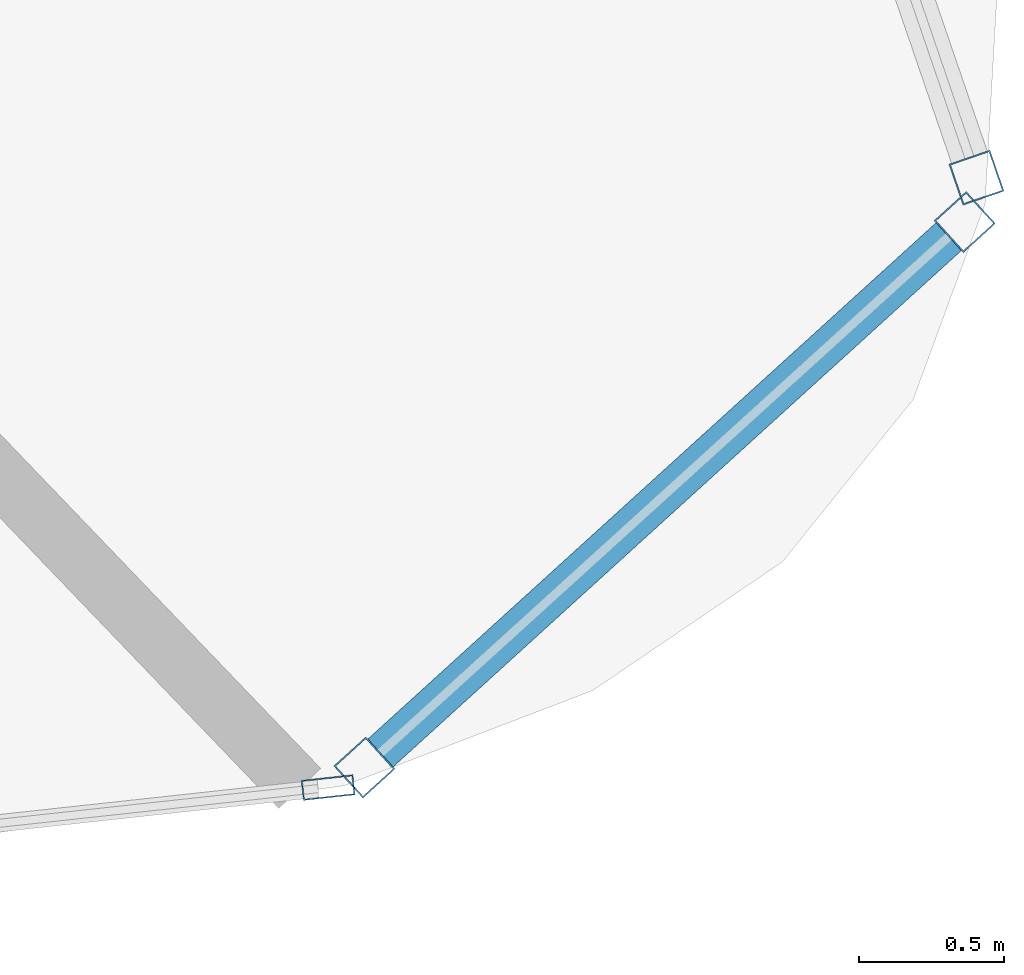
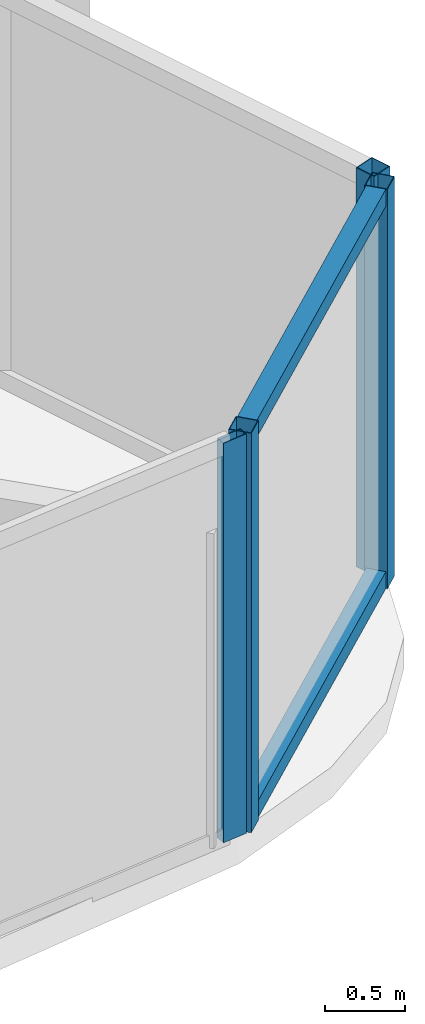
# One storey, part 14 of 34: 6 members, 3 elements without a shape of their own.
"""IFC4 building model written with IfcOpenShell, lengths in metres."""

from ifc_helpers import new_model, si_unit, direction, frame, origin, origin_2d, place, context, subcontext, project, spatial, hollow_rectangle, extrude, material, layer, layer_set, material_profile, profile_set, type_object, element, aggregate, save


model = new_model("IFC4")

# Units and contexts
model_context = context("Model", 3, precision=1e-05, world=origin(), true_north=direction((0.0, 1.0)))
body_context = subcontext(model_context, "Body", "Model", "MODEL_VIEW")
ifc_project = project(units=[si_unit("LENGTHUNIT", "METRE"), si_unit("AREAUNIT", "SQUARE_METRE"), si_unit("VOLUMEUNIT", "CUBIC_METRE"), si_unit("PLANEANGLEUNIT", "RADIAN"), si_unit("MASSUNIT", "GRAM", prefix="KILO")], contexts=[model_context])

# Site, building, storey
site_placement = place(None, origin())
site = spatial("IfcSite", under=ifc_project, at=site_placement, CompositionType="ELEMENT")
building_placement = place(site_placement, origin())
building = spatial("IfcBuilding", under=site, at=building_placement, Name="Orvanel Arch Residences", CompositionType="ELEMENT")
storey_placement = place(building_placement, frame((0.0, 0.0, 74.14990234375)))
storey = spatial("IfcBuildingStorey", under=building, at=storey_placement, Name="L20", CompositionType="ELEMENT", Elevation=74.14990234375)

# Curtain wall, members
ifc_material = material(Name="Bronze-anodised aluminium AA6063-T6", Category="aluminium")
ifc_layer_1 = layer(ifc_material, 0.18994140625)
ifc_layer_set_1 = layer_set([ifc_layer_1], Name="Bronze-anodised aluminium AA6063-T6")
curtain_wall_type_1 = type_object("IfcCurtainWallType", Name="CW5-CRN-SYS", PredefinedType="NOTDEFINED", material=ifc_layer_set_1)
curtain_wall_1_placement = place(storey_placement, origin())
curtain_wall_1 = element("IfcCurtainWall", 1, at=curtain_wall_1_placement, inside=storey, type_object=curtain_wall_type_1, Name="L20 CW5-CRN-SYS Unitised Curtain Wall", PredefinedType="NOTDEFINED")
ifc_material_profile_1 = material_profile(ifc_material, hollow_rectangle(XDim=0.14990234375, YDim=0.14990234375, WallThickness=0.0048828125, at=origin_2d()), Name="ALU150x150x5")
ifc_profile_set_1 = profile_set([ifc_material_profile_1], Name="Bronze-anodised aluminium AA6063-T6")
member_type_1 = type_object("IfcMemberType", Name="MUL-150x150", PredefinedType="MULLION", material=ifc_profile_set_1)
member_1_placement = place(storey_placement, frame((58.46044921875, 4.25146484375, 0.0), z_axis=(0.0, 0.0, 1.0), x_axis=(-0.6724198414, 0.740169951357, 0.0)))
member_1 = element("IfcMember", 2, at=member_1_placement, type_object=member_type_1, Name="CW-S5 mullion 1", PredefinedType="MULLION", context=body_context, shape_type="SweptSolid", body=[
    extrude(hollow_rectangle(XDim=0.14990234375, YDim=0.14990234375, WallThickness=0.0048828125, at=origin_2d()), origin(), (0.0, 0.0, 1.0), 3.06005859375),
])
member_2_placement = place(storey_placement, frame((60.534423828125, 6.135498046875, 0.0), z_axis=(0.0, 0.0, 1.0), x_axis=(-0.6724198414, 0.740169951357, 0.0)))
member_2 = element("IfcMember", 3, at=member_2_placement, type_object=member_type_1, Name="CW-S5 mullion 2", PredefinedType="MULLION", context=body_context, shape_type="SweptSolid", body=[
    extrude(hollow_rectangle(XDim=0.14990234375, YDim=0.14990234375, WallThickness=0.0048828125, at=origin_2d()), origin(), (0.0, 0.0, 1.0), 3.06005859375),
])

# Curtain wall, member
curtain_wall_2_placement = place(storey_placement, origin())
curtain_wall_2 = element("IfcCurtainWall", 4, at=curtain_wall_2_placement, inside=storey, type_object=curtain_wall_type_1, Name="L20 CW5-CRN-SYS Unitised Curtain Wall", PredefinedType="NOTDEFINED")
member_3_placement = place(storey_placement, frame((60.57470703125, 6.2890625, 0.0), z_axis=(0.0, 0.0, 1.0), x_axis=(-0.945912167236, -0.324422828844, 0.0)))
member_3 = element("IfcMember", 5, at=member_3_placement, type_object=member_type_1, Name="CW-S5 mullion 1", PredefinedType="MULLION", context=body_context, shape_type="SweptSolid", body=[
    extrude(hollow_rectangle(XDim=0.14990234375, YDim=0.14990234375, WallThickness=0.0048828125, at=origin_2d()), origin(), (0.0, 0.0, 1.0), 3.06005859375),
])
aggregate(curtain_wall_2, [member_3])

ifc_layer_2 = layer(ifc_material, 0.179931640625)
ifc_layer_set_2 = layer_set([ifc_layer_2], Name="Bronze-anodised aluminium AA6063-T6")
curtain_wall_type_2 = type_object("IfcCurtainWallType", Name="CW2-LOW-SYS", PredefinedType="NOTDEFINED", material=ifc_layer_set_2)
curtain_wall_3_placement = place(storey_placement, origin())
curtain_wall_3 = element("IfcCurtainWall", 6, at=curtain_wall_3_placement, inside=storey, type_object=curtain_wall_type_2, Name="L20 CW2-LOW-SYS Unitised Curtain Wall", PredefinedType="NOTDEFINED")
ifc_material_profile_2 = material_profile(ifc_material, hollow_rectangle(XDim=0.070068359375, YDim=0.179931640625, WallThickness=0.00439453125, at=origin_2d()), Name="ALU180x70x4.5")
ifc_profile_set_2 = profile_set([ifc_material_profile_2], Name="Bronze-anodised aluminium AA6063-T6")
member_type_2 = type_object("IfcMemberType", Name="MUL-180x70", PredefinedType="MULLION", material=ifc_profile_set_2)
member_4_placement = place(storey_placement, frame((58.335205078125, 4.18212890625, 0.0), z_axis=(0.0, 0.0, 1.0), x_axis=(-0.10808278479, 0.994141897131, 0.0)))
member_4 = element("IfcMember", 7, at=member_4_placement, type_object=member_type_2, Name="CW-S2 mullion 4", PredefinedType="MULLION", context=body_context, shape_type="SweptSolid", body=[
    extrude(hollow_rectangle(XDim=0.070068359375, YDim=0.179931640625, WallThickness=0.00439453125, at=origin_2d()), origin(), (0.0, 0.0, 1.0), 3.06005859375),
])
aggregate(curtain_wall_3, [member_4])

# Member
ifc_material_profile_3 = material_profile(ifc_material, hollow_rectangle(XDim=0.1298828125, YDim=0.1298828125, WallThickness=0.00439453125, at=origin_2d()), Name="ALU130x130x4.5")
ifc_profile_set_3 = profile_set([ifc_material_profile_3], Name="Bronze-anodised aluminium AA6063-T6")
member_type_3 = type_object("IfcMemberType", Name="TRN-130x130", PredefinedType="USERDEFINED", material=ifc_profile_set_3)
member_5_placement = place(storey_placement, frame((58.51611328125, 4.3017578125, 0.065185546875), z_axis=(0.740127488315, 0.672466579869, 0.0), x_axis=(-0.672466579869, 0.740127488315, 0.0)))
member_5 = element("IfcMember", 8, at=member_5_placement, type_object=member_type_3, Name="CW-S5 transom 1.1", ObjectType="TRANSOM", PredefinedType="USERDEFINED", context=body_context, shape_type="SweptSolid", body=[
    extrude(hollow_rectangle(XDim=0.1298828125, YDim=0.1298828125, WallThickness=0.00439453125, at=origin_2d()), origin(), (0.0, 0.0, 1.0), 2.652099609375),
])

member_6_placement = place(storey_placement, frame((58.51611328125, 4.3017578125, 2.9951171875), z_axis=(0.740127488315, 0.672466579869, 0.0), x_axis=(-0.672466579869, 0.740127488315, 0.0)))
member_6 = element("IfcMember", 9, at=member_6_placement, type_object=member_type_3, Name="CW-S5 transom 1.2", ObjectType="TRANSOM", PredefinedType="USERDEFINED", context=body_context, shape_type="SweptSolid", body=[
    extrude(hollow_rectangle(XDim=0.1298828125, YDim=0.1298828125, WallThickness=0.00439453125, at=origin_2d()), origin(), (0.0, 0.0, 1.0), 2.652099609375),
])

aggregate(curtain_wall_1, [member_1, member_2, member_5, member_6])

save(model, "model.ifc")
